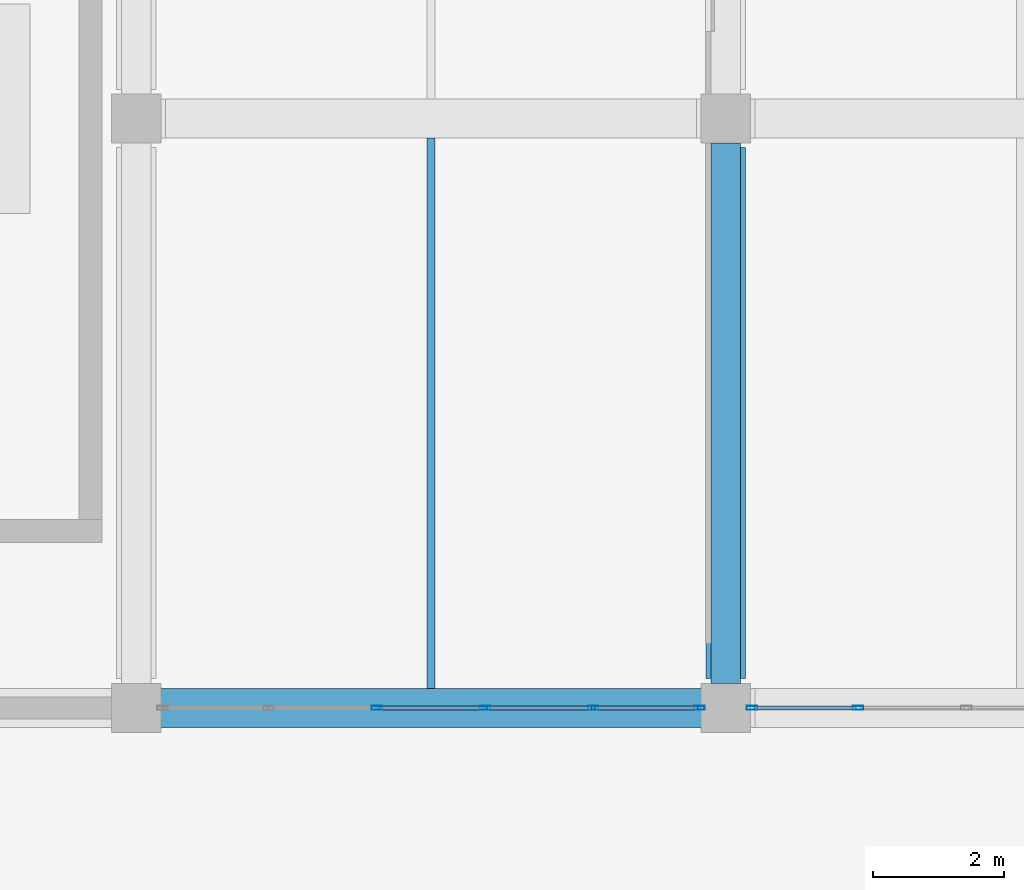
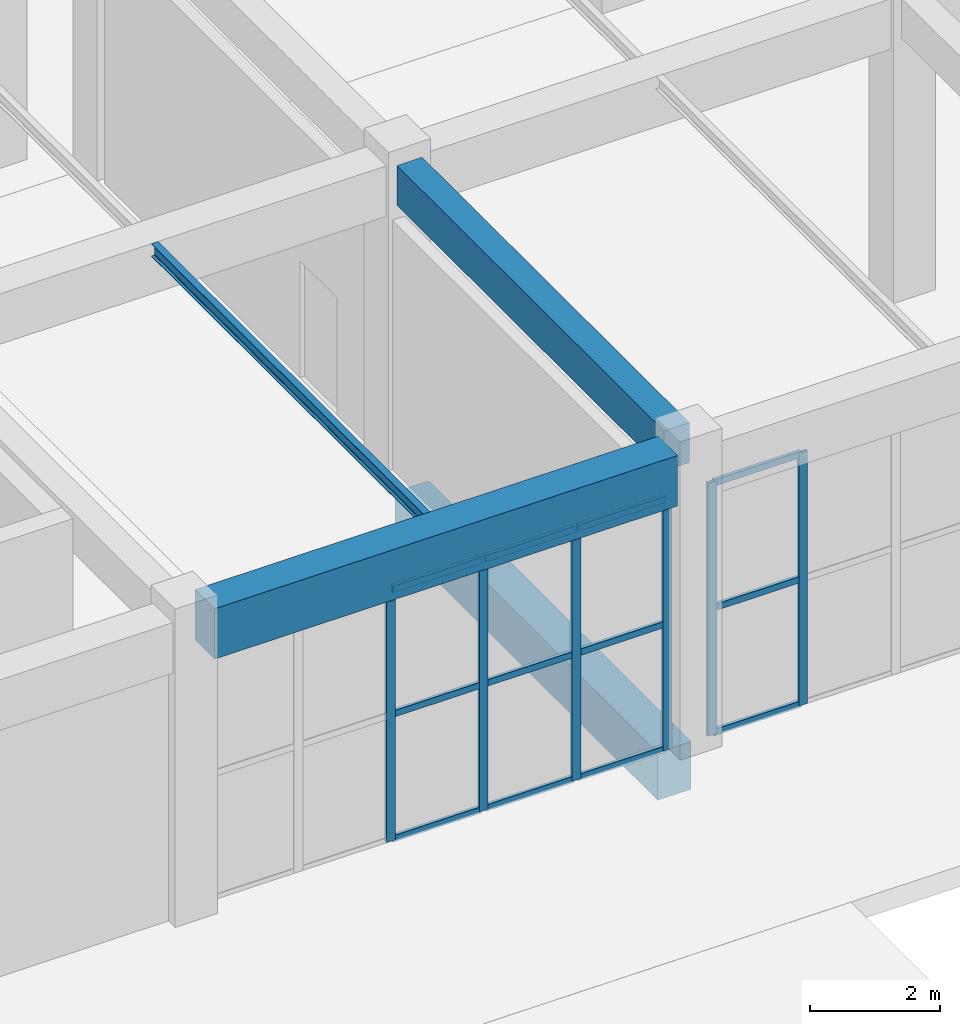
# One storey, part 35 of 91: 18 members, 4 beams, 2 elements without a shape of their own.
"""IFC4 building model written with IfcOpenShell, lengths in metres."""

from ifc_helpers import new_model, si_unit, direction, frame, origin, origin_2d, place, context, subcontext, project, spatial, rectangle, hollow_rectangle, i_section, extrude, material, layer, layer_set, material_profile, profile_set, type_object, element, aggregate, save


model = new_model("IFC4")

# Units and contexts
model_context = context("Model", 3, precision=1e-05, world=origin(), true_north=direction((0.0, 1.0)))
body_context = subcontext(model_context, "Body", "Model", "MODEL_VIEW")
ifc_project = project(units=[si_unit("LENGTHUNIT", "METRE"), si_unit("AREAUNIT", "SQUARE_METRE"), si_unit("VOLUMEUNIT", "CUBIC_METRE"), si_unit("PLANEANGLEUNIT", "RADIAN"), si_unit("MASSUNIT", "GRAM", prefix="KILO")], contexts=[model_context])

# Site, building, storey
site_placement = place(None, origin())
site = spatial("IfcSite", under=ifc_project, at=site_placement, CompositionType="ELEMENT")
building_placement = place(site_placement, origin())
building = spatial("IfcBuilding", under=site, at=building_placement, Name="Dornveld Trade and Exhibition Forum", CompositionType="ELEMENT")
storey_placement = place(building_placement, origin())
storey = spatial("IfcBuildingStorey", under=building, at=storey_placement, Name="L00", CompositionType="ELEMENT", Elevation=0.0)

# Beams
ifc_material_1 = material(Name="Concrete C40/50", Category="concrete")
ifc_material_profile_1 = material_profile(ifc_material_1, rectangle(XDim=0.60009765625, YDim=0.89990234375, at=origin_2d()), Name="RC-GB 600x900")
ifc_profile_set_1 = profile_set([ifc_material_profile_1], Name="Concrete C40/50")
beam_type_1 = type_object("IfcBeamType", Name="BM-GB-600x900", PredefinedType="BEAM", material=ifc_profile_set_1)
beam_1_placement = place(storey_placement, frame((198.0, 108.446044921875, -0.830078125), z_axis=(0.0, 1.0, 0.0), x_axis=(-1.0, 0.0, 0.0)))
element("IfcBeam", 1, at=beam_1_placement, inside=storey, type_object=beam_type_1, Name="L00 Y-girder 555", PredefinedType="BEAM", context=body_context, shape_type="SweptSolid", body=[
    extrude(rectangle(XDim=0.60009765625, YDim=0.89990234375, at=origin_2d()), origin(), (0.0, 0.0, 1.0), 8.10791015625),
])
ifc_material_2 = material(Name="Steel S355J2", Category="steel")
ifc_material_profile_2 = material_profile(ifc_material_2, i_section(OverallWidth=0.1201171875, OverallDepth=0.239990234375, WebThickness=0.006103515625, FlangeThickness=0.009765625, FilletRadius=0.014892578125, at=origin_2d()), Name="IPE 240")
ifc_profile_set_2 = profile_set([ifc_material_profile_2], Name="Steel S355J2")
beam_type_2 = type_object("IfcBeamType", Name="BM-JOIST-240", PredefinedType="JOIST", material=ifc_profile_set_2)
beam_2_placement = place(storey_placement, frame((193.5, 108.297119140625, 5.580078125), z_axis=(0.0, 1.0, 0.0), x_axis=(-1.0, 0.0, 0.0)))
element("IfcBeam", 2, at=beam_2_placement, inside=storey, type_object=beam_type_2, Name="L00 secondary joist 1009", PredefinedType="JOIST", context=body_context, shape_type="SweptSolid", body=[
    extrude(i_section(OverallWidth=0.1201171875, OverallDepth=0.239990234375, WebThickness=0.006103515625, FlangeThickness=0.009765625, FilletRadius=0.014892578125, at=origin_2d()), origin(), (0.0, 0.0, 1.0), 8.40576171875),
])
ifc_material_3 = material(Name="Precast concrete C50/60", Category="concrete")
ifc_material_profile_3 = material_profile(ifc_material_3, rectangle(XDim=0.449951171875, YDim=0.75, at=origin_2d()), Name="PC-BM 450x750")
ifc_profile_set_3 = profile_set([ifc_material_profile_3], Name="Precast concrete C50/60")
beam_type_3 = type_object("IfcBeamType", Name="BM-PC-450x750", PredefinedType="BEAM", material=ifc_profile_set_3)
beam_3_placement = place(storey_placement, frame((198.0, 108.37109375, 5.324951171875), z_axis=(0.0, 1.0, 0.0), x_axis=(-1.0, 0.0, 0.0)))
element("IfcBeam", 3, at=beam_3_placement, inside=storey, type_object=beam_type_3, Name="L00 Y-girder 991", PredefinedType="BEAM", context=body_context, shape_type="SweptSolid", body=[
    extrude(rectangle(XDim=0.449951171875, YDim=0.75, at=origin_2d()), origin(), (0.0, 0.0, 1.0), 8.2578125),
])
ifc_material_4 = material(Name="Precast concrete C50/60", Category="concrete")
ifc_material_profile_4 = material_profile(ifc_material_4, rectangle(XDim=0.60009765625, YDim=0.949951171875, at=origin_2d()), Name="PC-GIR 600x950")
ifc_profile_set_4 = profile_set([ifc_material_profile_4], Name="Precast concrete C50/60")
beam_type_4 = type_object("IfcBeamType", Name="BM-PC-600x950", PredefinedType="T_BEAM", material=ifc_profile_set_4)
beam_4_placement = place(storey_placement, frame((189.37109375, 108.0, 5.22509765625), z_axis=(1.0, 0.0, 0.0), x_axis=(0.0, 1.0, 0.0)))
element("IfcBeam", 4, at=beam_4_placement, inside=storey, type_object=beam_type_4, Name="L00 X-girder 957", PredefinedType="T_BEAM", context=body_context, shape_type="SweptSolid", body=[
    extrude(rectangle(XDim=0.60009765625, YDim=0.949951171875, at=origin_2d()), origin(), (0.0, 0.0, 1.0), 8.2578125),
])

# Curtain wall, members
ifc_material_5 = material(Name="Dark-bronze anodised aluminium and low-E glass", Category="aluminium")
ifc_layer_1 = layer(ifc_material_5, 0.1630859375)
ifc_layer_set_1 = layer_set([ifc_layer_1], Name="Dark-bronze anodised aluminium and low-E glass")
curtain_wall_type_1 = type_object("IfcCurtainWallType", Name="CW-SYS-07", PredefinedType="USERDEFINED", material=ifc_layer_set_1)
curtain_wall_1_placement = place(storey_placement, origin())
curtain_wall_1 = element("IfcCurtainWall", 5, at=curtain_wall_1_placement, inside=storey, type_object=curtain_wall_type_1, Name="L00 unitised curtain wall 97", ObjectType="UNITISED_CURTAIN_WALL", PredefinedType="USERDEFINED")
ifc_material_6 = material(Name="Dark-bronze anodised aluminium", Category="aluminium")
ifc_material_profile_5 = material_profile(ifc_material_6, hollow_rectangle(XDim=0.06005859375, YDim=0.159912109375, WallThickness=0.00390625, at=origin_2d()), Name="RHS 160x60x4")
ifc_profile_set_5 = profile_set([ifc_material_profile_5], Name="Dark-bronze anodised aluminium")
member_type_1 = type_object("IfcMemberType", Name="CW-MUL-160", PredefinedType="MULLION", material=ifc_profile_set_5)
member_1_placement = place(storey_placement, frame((192.67431640625, 108.0, -0.00390625), z_axis=(0.0, 0.0, 1.0), x_axis=(0.0, 1.0, 0.0)))
member_1 = element("IfcMember", 6, at=member_1_placement, type_object=member_type_1, Name="CW-07 mullion 3", PredefinedType="MULLION", context=body_context, shape_type="SweptSolid", body=[
    extrude(hollow_rectangle(XDim=0.06005859375, YDim=0.159912109375, WallThickness=0.00390625, at=origin_2d()), origin(), (0.0, 0.0, 1.0), 4.763916015625),
])
member_2_placement = place(storey_placement, frame((194.32568359375, 108.0, -0.00390625), z_axis=(0.0, 0.0, 1.0), x_axis=(0.0, 1.0, 0.0)))
member_2 = element("IfcMember", 7, at=member_2_placement, type_object=member_type_1, Name="CW-07 mullion 4", PredefinedType="MULLION", context=body_context, shape_type="SweptSolid", body=[
    extrude(hollow_rectangle(XDim=0.06005859375, YDim=0.159912109375, WallThickness=0.00390625, at=origin_2d()), origin(), (0.0, 0.0, 1.0), 4.763916015625),
])
member_3_placement = place(storey_placement, frame((195.977294921875, 108.0, -0.00390625), z_axis=(0.0, 0.0, 1.0), x_axis=(0.0, 1.0, 0.0)))
member_3 = element("IfcMember", 8, at=member_3_placement, type_object=member_type_1, Name="CW-07 mullion 5", PredefinedType="MULLION", context=body_context, shape_type="SweptSolid", body=[
    extrude(hollow_rectangle(XDim=0.06005859375, YDim=0.159912109375, WallThickness=0.00390625, at=origin_2d()), origin(), (0.0, 0.0, 1.0), 4.763916015625),
])
member_4_placement = place(storey_placement, frame((197.59912109375, 108.0, -0.00390625), z_axis=(0.0, 0.0, 1.0), x_axis=(0.0, 1.0, 0.0)))
member_4 = element("IfcMember", 9, at=member_4_placement, type_object=member_type_1, Name="CW-07 mullion 6", PredefinedType="MULLION", context=body_context, shape_type="SweptSolid", body=[
    extrude(hollow_rectangle(XDim=0.06005859375, YDim=0.159912109375, WallThickness=0.00390625, at=origin_2d()), origin(), (0.0, 0.0, 1.0), 4.763916015625),
])

ifc_material_7 = material(Name="Dark-bronze anodised aluminium and low-E glass", Category="aluminium")
ifc_layer_2 = layer(ifc_material_7, 0.166015625)
ifc_layer_set_2 = layer_set([ifc_layer_2], Name="Dark-bronze anodised aluminium and low-E glass")
curtain_wall_type_2 = type_object("IfcCurtainWallType", Name="CW-SYS-08", PredefinedType="USERDEFINED", material=ifc_layer_set_2)
curtain_wall_2_placement = place(storey_placement, origin())
curtain_wall_2 = element("IfcCurtainWall", 10, at=curtain_wall_2_placement, inside=storey, type_object=curtain_wall_type_2, Name="L00 unitised curtain wall 98", ObjectType="UNITISED_CURTAIN_WALL", PredefinedType="USERDEFINED")
member_5_placement = place(storey_placement, frame((198.40087890625, 108.0, -0.00390625), z_axis=(0.0, 0.0, 1.0), x_axis=(0.0, 1.0, 0.0)))
member_5 = element("IfcMember", 11, at=member_5_placement, type_object=member_type_1, Name="CW-08 mullion 1", PredefinedType="MULLION", context=body_context, shape_type="SweptSolid", body=[
    extrude(hollow_rectangle(XDim=0.06005859375, YDim=0.159912109375, WallThickness=0.00390625, at=origin_2d()), origin(), (0.0, 0.0, 1.0), 4.763916015625),
])
member_6_placement = place(storey_placement, frame((200.022705078125, 108.0, -0.00390625), z_axis=(0.0, 0.0, 1.0), x_axis=(0.0, 1.0, 0.0)))
member_6 = element("IfcMember", 12, at=member_6_placement, type_object=member_type_1, Name="CW-08 mullion 2", PredefinedType="MULLION", context=body_context, shape_type="SweptSolid", body=[
    extrude(hollow_rectangle(XDim=0.06005859375, YDim=0.159912109375, WallThickness=0.00390625, at=origin_2d()), origin(), (0.0, 0.0, 1.0), 4.763916015625),
])

# Member
ifc_material_8 = material(Name="Dark-bronze anodised aluminium", Category="aluminium")
ifc_material_profile_6 = material_profile(ifc_material_8, hollow_rectangle(XDim=0.06005859375, YDim=0.1201171875, WallThickness=0.00390625, at=origin_2d()), Name="RHS 120x60x4")
ifc_profile_set_6 = profile_set([ifc_material_profile_6], Name="Dark-bronze anodised aluminium")
member_type_2 = type_object("IfcMemberType", Name="CW-TRN-120", PredefinedType="USERDEFINED", material=ifc_profile_set_6)
member_7_placement = place(storey_placement, frame((192.7041015625, 108.0, 0.02587890625), z_axis=(1.0, 0.0, 0.0), x_axis=(0.0, 1.0, 0.0)))
member_7 = element("IfcMember", 13, at=member_7_placement, type_object=member_type_2, Name="CW-07 transom 3.1", ObjectType="TRANSOM", PredefinedType="USERDEFINED", context=body_context, shape_type="SweptSolid", body=[
    extrude(hollow_rectangle(XDim=0.06005859375, YDim=0.1201171875, WallThickness=0.00390625, at=origin_2d()), origin(), (0.0, 0.0, 1.0), 1.591796875),
])

member_8_placement = place(storey_placement, frame((192.7041015625, 108.0, 2.3779296875), z_axis=(1.0, 0.0, 0.0), x_axis=(0.0, 1.0, 0.0)))
member_8 = element("IfcMember", 14, at=member_8_placement, type_object=member_type_2, Name="CW-07 transom 3.2", ObjectType="TRANSOM", PredefinedType="USERDEFINED", context=body_context, shape_type="SweptSolid", body=[
    extrude(hollow_rectangle(XDim=0.06005859375, YDim=0.1201171875, WallThickness=0.00390625, at=origin_2d()), origin(), (0.0, 0.0, 1.0), 1.591796875),
])

member_9_placement = place(storey_placement, frame((192.7041015625, 108.0, 4.72998046875), z_axis=(1.0, 0.0, 0.0), x_axis=(0.0, 1.0, 0.0)))
member_9 = element("IfcMember", 15, at=member_9_placement, type_object=member_type_2, Name="CW-07 transom 3.3", ObjectType="TRANSOM", PredefinedType="USERDEFINED", context=body_context, shape_type="SweptSolid", body=[
    extrude(hollow_rectangle(XDim=0.06005859375, YDim=0.1201171875, WallThickness=0.00390625, at=origin_2d()), origin(), (0.0, 0.0, 1.0), 1.591796875),
])

member_10_placement = place(storey_placement, frame((194.355712890625, 108.0, 0.02587890625), z_axis=(1.0, 0.0, 0.0), x_axis=(0.0, 1.0, 0.0)))
member_10 = element("IfcMember", 16, at=member_10_placement, type_object=member_type_2, Name="CW-07 transom 4.1", ObjectType="TRANSOM", PredefinedType="USERDEFINED", context=body_context, shape_type="SweptSolid", body=[
    extrude(hollow_rectangle(XDim=0.06005859375, YDim=0.1201171875, WallThickness=0.00390625, at=origin_2d()), origin(), (0.0, 0.0, 1.0), 1.591796875),
])

member_11_placement = place(storey_placement, frame((194.355712890625, 108.0, 2.3779296875), z_axis=(1.0, 0.0, 0.0), x_axis=(0.0, 1.0, 0.0)))
member_11 = element("IfcMember", 17, at=member_11_placement, type_object=member_type_2, Name="CW-07 transom 4.2", ObjectType="TRANSOM", PredefinedType="USERDEFINED", context=body_context, shape_type="SweptSolid", body=[
    extrude(hollow_rectangle(XDim=0.06005859375, YDim=0.1201171875, WallThickness=0.00390625, at=origin_2d()), origin(), (0.0, 0.0, 1.0), 1.591796875),
])

member_12_placement = place(storey_placement, frame((194.355712890625, 108.0, 4.72998046875), z_axis=(1.0, 0.0, 0.0), x_axis=(0.0, 1.0, 0.0)))
member_12 = element("IfcMember", 18, at=member_12_placement, type_object=member_type_2, Name="CW-07 transom 4.3", ObjectType="TRANSOM", PredefinedType="USERDEFINED", context=body_context, shape_type="SweptSolid", body=[
    extrude(hollow_rectangle(XDim=0.06005859375, YDim=0.1201171875, WallThickness=0.00390625, at=origin_2d()), origin(), (0.0, 0.0, 1.0), 1.591796875),
])

member_13_placement = place(storey_placement, frame((196.00732421875, 108.0, 0.02587890625), z_axis=(1.0, 0.0, 0.0), x_axis=(0.0, 1.0, 0.0)))
member_13 = element("IfcMember", 19, at=member_13_placement, type_object=member_type_2, Name="CW-07 transom 5.1", ObjectType="TRANSOM", PredefinedType="USERDEFINED", context=body_context, shape_type="SweptSolid", body=[
    extrude(hollow_rectangle(XDim=0.06005859375, YDim=0.1201171875, WallThickness=0.00390625, at=origin_2d()), origin(), (0.0, 0.0, 1.0), 1.561767578125),
])

member_14_placement = place(storey_placement, frame((196.00732421875, 108.0, 2.3779296875), z_axis=(1.0, 0.0, 0.0), x_axis=(0.0, 1.0, 0.0)))
member_14 = element("IfcMember", 20, at=member_14_placement, type_object=member_type_2, Name="CW-07 transom 5.2", ObjectType="TRANSOM", PredefinedType="USERDEFINED", context=body_context, shape_type="SweptSolid", body=[
    extrude(hollow_rectangle(XDim=0.06005859375, YDim=0.1201171875, WallThickness=0.00390625, at=origin_2d()), origin(), (0.0, 0.0, 1.0), 1.561767578125),
])

member_15_placement = place(storey_placement, frame((196.00732421875, 108.0, 4.72998046875), z_axis=(1.0, 0.0, 0.0), x_axis=(0.0, 1.0, 0.0)))
member_15 = element("IfcMember", 21, at=member_15_placement, type_object=member_type_2, Name="CW-07 transom 5.3", ObjectType="TRANSOM", PredefinedType="USERDEFINED", context=body_context, shape_type="SweptSolid", body=[
    extrude(hollow_rectangle(XDim=0.06005859375, YDim=0.1201171875, WallThickness=0.00390625, at=origin_2d()), origin(), (0.0, 0.0, 1.0), 1.561767578125),
])

aggregate(curtain_wall_1, [member_1, member_2, member_3, member_4, member_7, member_8, member_9, member_10, member_11, member_12, member_13, member_14, member_15])

member_16_placement = place(storey_placement, frame((198.430908203125, 108.0, 0.02587890625), z_axis=(1.0, 0.0, 0.0), x_axis=(0.0, 1.0, 0.0)))
member_16 = element("IfcMember", 22, at=member_16_placement, type_object=member_type_2, Name="CW-08 transom 1.1", ObjectType="TRANSOM", PredefinedType="USERDEFINED", context=body_context, shape_type="SweptSolid", body=[
    extrude(hollow_rectangle(XDim=0.06005859375, YDim=0.1201171875, WallThickness=0.00390625, at=origin_2d()), origin(), (0.0, 0.0, 1.0), 1.561767578125),
])

member_17_placement = place(storey_placement, frame((198.430908203125, 108.0, 2.3779296875), z_axis=(1.0, 0.0, 0.0), x_axis=(0.0, 1.0, 0.0)))
member_17 = element("IfcMember", 23, at=member_17_placement, type_object=member_type_2, Name="CW-08 transom 1.2", ObjectType="TRANSOM", PredefinedType="USERDEFINED", context=body_context, shape_type="SweptSolid", body=[
    extrude(hollow_rectangle(XDim=0.06005859375, YDim=0.1201171875, WallThickness=0.00390625, at=origin_2d()), origin(), (0.0, 0.0, 1.0), 1.561767578125),
])

member_18_placement = place(storey_placement, frame((198.430908203125, 108.0, 4.72998046875), z_axis=(1.0, 0.0, 0.0), x_axis=(0.0, 1.0, 0.0)))
member_18 = element("IfcMember", 24, at=member_18_placement, type_object=member_type_2, Name="CW-08 transom 1.3", ObjectType="TRANSOM", PredefinedType="USERDEFINED", context=body_context, shape_type="SweptSolid", body=[
    extrude(hollow_rectangle(XDim=0.06005859375, YDim=0.1201171875, WallThickness=0.00390625, at=origin_2d()), origin(), (0.0, 0.0, 1.0), 1.561767578125),
])

aggregate(curtain_wall_2, [member_5, member_6, member_16, member_17, member_18])

save(model, "model.ifc")
